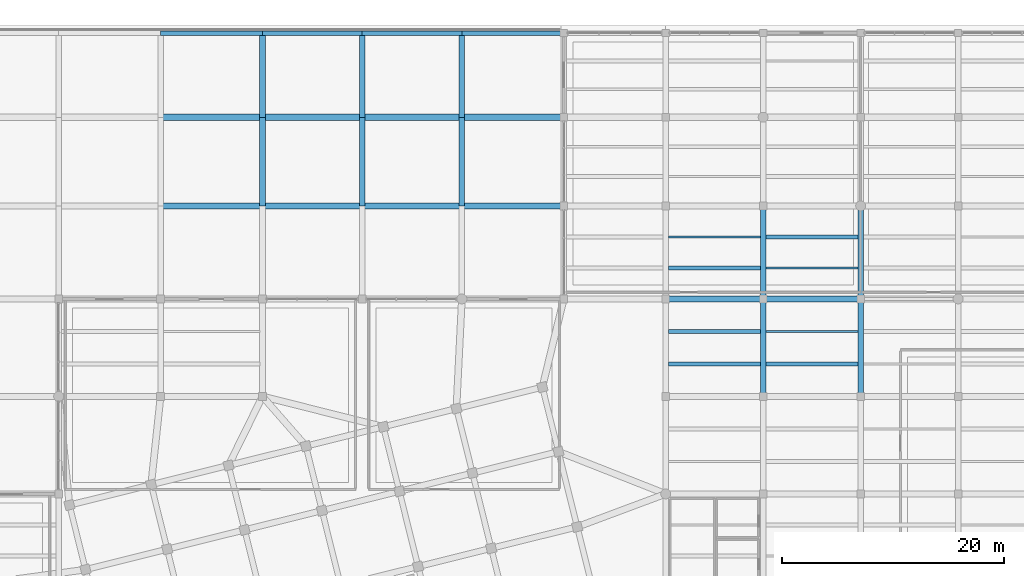
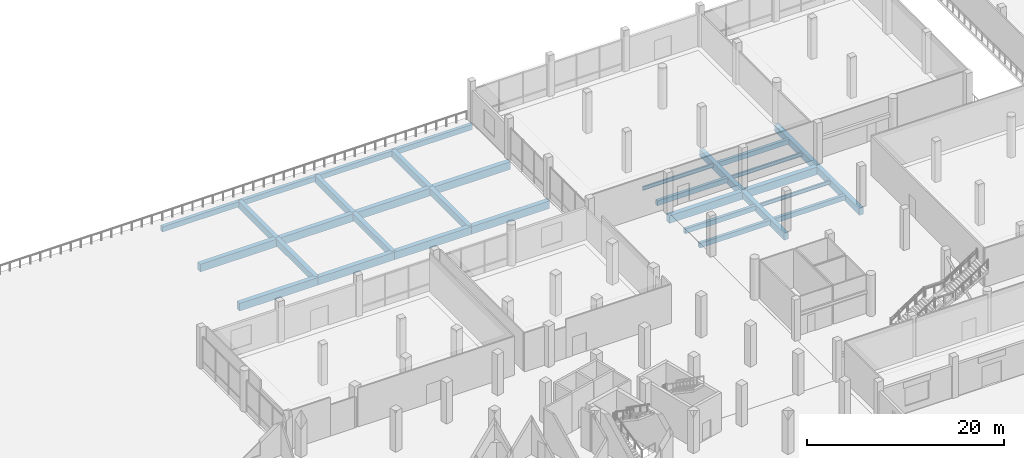
# One storey, part 36 of 73: 32 beams.
"""IFC4 building model written with IfcOpenShell, lengths in metres."""

from ifc_helpers import new_model, si_unit, direction, frame, origin, origin_2d, place, context, subcontext, project, spatial, rectangle, i_section, extrude, material, material_profile, profile_set, type_object, element, save


model = new_model("IFC4")

# Units and contexts
model_context = context("Model", 3, precision=1e-05, world=origin(), true_north=direction((0.0, 1.0)))
body_context = subcontext(model_context, "Body", "Model", "MODEL_VIEW")
ifc_project = project(units=[si_unit("LENGTHUNIT", "METRE"), si_unit("AREAUNIT", "SQUARE_METRE"), si_unit("VOLUMEUNIT", "CUBIC_METRE"), si_unit("PLANEANGLEUNIT", "RADIAN"), si_unit("MASSUNIT", "GRAM", prefix="KILO")], contexts=[model_context])

# Site, building, storey
site_placement = place(None, origin())
site = spatial("IfcSite", under=ifc_project, at=site_placement, CompositionType="ELEMENT")
building_placement = place(site_placement, origin())
building = spatial("IfcBuilding", under=site, at=building_placement, Name="Meriwether Solvik Hall", CompositionType="ELEMENT")
storey_placement = place(building_placement, origin())
storey = spatial("IfcBuildingStorey", under=building, at=storey_placement, Name="L00", CompositionType="ELEMENT", Elevation=0.0)

# Beams
ifc_material_1 = material(Name="Concrete C40/50", Category="concrete")
ifc_material_profile_1 = material_profile(ifc_material_1, rectangle(XDim=0.35009765625, YDim=0.60009765625, at=origin_2d()), Name="RCB-350X600")
ifc_profile_set_1 = profile_set([ifc_material_profile_1], Name="Concrete C40/50")
beam_type_1 = type_object("IfcBeamType", Name="BM-RC-350X600", PredefinedType="JOIST", material=ifc_profile_set_1)
for number, where, z_axis, x_axis, name in (
    (1, (114.445068359375, 86.933349609375, -0.659912109375), (1.0, 0.0, 0.0), (0.0, 1.0, 0.0), "Secondary Floor Joist 13/J_J1 (L00)"),
    (2, (114.445068359375, 89.86669921875, -0.659912109375), (1.0, 0.0, 0.0), (0.0, 1.0, 0.0), "Secondary Floor Joist 13/J_J2 (L00)"),
    (3, (114.445068359375, 95.60009765625, -0.659912109375), (1.0, 0.0, 0.0), (0.0, 1.0, 0.0), "Secondary Floor Joist 13/K_J1 (L00)"),
    (4, (123.2451171875, 86.933349609375, -0.659912109375), (1.0, 0.0, 0.0), (0.0, 1.0, 0.0), "Secondary Floor Joist 14/J_J1 (L00)"),
    (5, (123.2451171875, 98.39990234375, -0.659912109375), (1.0, 0.0, 0.0), (0.0, 1.0, 0.0), "Secondary Floor Joist 14/K_J2 (L00)"),
):
    element("IfcBeam", number, at=place(storey_placement, frame(where, z_axis=z_axis, x_axis=x_axis)), inside=storey, type_object=beam_type_1, Name=name, PredefinedType="JOIST", context=body_context, shape_type="SweptSolid", body=[
        extrude(rectangle(XDim=0.35009765625, YDim=0.60009765625, at=origin_2d()), origin(), (0.0, 0.0, 1.0), 8.309814453125),
    ])
ifc_material_2 = material(Name="Concrete C40/50", Category="concrete")
ifc_material_profile_2 = material_profile(ifc_material_2, rectangle(XDim=0.39990234375, YDim=0.64990234375, at=origin_2d()), Name="RCB-400X650")
ifc_profile_set_2 = profile_set([ifc_material_profile_2], Name="Concrete C40/50")
beam_type_2 = type_object("IfcBeamType", Name="BM-RC-400X650", PredefinedType="SPANDREL", material=ifc_profile_set_2)
beam_1_placement = place(storey_placement, frame((68.60009765625, 116.800048828125, -0.68505859375), z_axis=(1.0, 0.0, 0.0), x_axis=(0.0, 1.0, 0.0)))
element("IfcBeam", 6, at=beam_1_placement, inside=storey, type_object=beam_type_2, Name="Podium Girder N:8-9 (L00)", PredefinedType="SPANDREL", context=body_context, shape_type="SweptSolid", body=[
    extrude(rectangle(XDim=0.39990234375, YDim=0.64990234375, at=origin_2d()), origin(), (0.0, 0.0, 1.0), 9.199951171875),
])
for number, where, z_axis, x_axis, name in (
    (7, (77.800048828125, 116.800048828125, -0.68505859375), (1.0, 0.0, 0.0), (0.0, 1.0, 0.0), "Podium Girder N:9-10 (L00)"),
    (8, (86.800048828125, 116.800048828125, -0.68505859375), (1.0, 0.0, 0.0), (0.0, 1.0, 0.0), "Podium Girder N:10-11 (L00)"),
):
    element("IfcBeam", number, at=place(storey_placement, frame(where, z_axis=z_axis, x_axis=x_axis)), inside=storey, type_object=beam_type_2, Name=name, PredefinedType="SPANDREL", context=body_context, shape_type="SweptSolid", body=[
        extrude(rectangle(XDim=0.39990234375, YDim=0.64990234375, at=origin_2d()), origin(), (0.0, 0.0, 1.0), 9.0),
    ])
beam_2_placement = place(storey_placement, frame((95.800048828125, 116.800048828125, -0.68505859375), z_axis=(1.0, 0.0, 0.0), x_axis=(0.0, 1.0, 0.0)))
element("IfcBeam", 9, at=beam_2_placement, inside=storey, type_object=beam_type_2, Name="Podium Girder N:11-12 (L00)", PredefinedType="SPANDREL", context=body_context, shape_type="SweptSolid", body=[
    extrude(rectangle(XDim=0.39990234375, YDim=0.64990234375, at=origin_2d()), origin(), (0.0, 0.0, 1.0), 9.199951171875),
])
ifc_material_3 = material(Name="Concrete C40/50", Category="concrete")
ifc_material_profile_3 = material_profile(ifc_material_3, rectangle(XDim=0.5, YDim=0.85009765625, at=origin_2d()), Name="RCB-500X850")
ifc_profile_set_3 = profile_set([ifc_material_profile_3], Name="Concrete C40/50")
beam_type_3 = type_object("IfcBeamType", Name="BM-RC-500X850", PredefinedType="BEAM", material=ifc_profile_set_3)
beam_3_placement = place(storey_placement, frame((77.800048828125, 101.199951171875, -0.784912109375), z_axis=(0.0, 1.0, 0.0), x_axis=(-1.0, 0.0, 0.0)))
element("IfcBeam", 10, at=beam_3_placement, inside=storey, type_object=beam_type_3, Name="Podium Girder 9:L-M (L00)", PredefinedType="BEAM", context=body_context, shape_type="SweptSolid", body=[
    extrude(rectangle(XDim=0.5, YDim=0.85009765625, at=origin_2d()), origin(), (0.0, 0.0, 1.0), 8.0),
])
beam_4_placement = place(storey_placement, frame((77.800048828125, 109.199951171875, -0.784912109375), z_axis=(0.0, 1.0, 0.0), x_axis=(-1.0, 0.0, 0.0)))
element("IfcBeam", 11, at=beam_4_placement, inside=storey, type_object=beam_type_3, Name="Podium Girder 9:M-N (L00)", PredefinedType="BEAM", context=body_context, shape_type="SweptSolid", body=[
    extrude(rectangle(XDim=0.5, YDim=0.85009765625, at=origin_2d()), origin(), (0.0, 0.0, 1.0), 7.60009765625),
])
beam_5_placement = place(storey_placement, frame((86.800048828125, 101.199951171875, -0.784912109375), z_axis=(0.0, 1.0, 0.0), x_axis=(-1.0, 0.0, 0.0)))
element("IfcBeam", 12, at=beam_5_placement, inside=storey, type_object=beam_type_3, Name="Podium Girder 10:L-M (L00)", PredefinedType="BEAM", context=body_context, shape_type="SweptSolid", body=[
    extrude(rectangle(XDim=0.5, YDim=0.85009765625, at=origin_2d()), origin(), (0.0, 0.0, 1.0), 8.0),
])
beam_6_placement = place(storey_placement, frame((86.800048828125, 109.199951171875, -0.784912109375), z_axis=(0.0, 1.0, 0.0), x_axis=(-1.0, 0.0, 0.0)))
element("IfcBeam", 13, at=beam_6_placement, inside=storey, type_object=beam_type_3, Name="Podium Girder 10:M-N (L00)", PredefinedType="BEAM", context=body_context, shape_type="SweptSolid", body=[
    extrude(rectangle(XDim=0.5, YDim=0.85009765625, at=origin_2d()), origin(), (0.0, 0.0, 1.0), 7.60009765625),
])
beam_7_placement = place(storey_placement, frame((95.800048828125, 101.199951171875, -0.784912109375), z_axis=(0.0, 1.0, 0.0), x_axis=(-1.0, 0.0, 0.0)))
element("IfcBeam", 14, at=beam_7_placement, inside=storey, type_object=beam_type_3, Name="Podium Girder 11:L-M (L00)", PredefinedType="BEAM", context=body_context, shape_type="SweptSolid", body=[
    extrude(rectangle(XDim=0.5, YDim=0.85009765625, at=origin_2d()), origin(), (0.0, 0.0, 1.0), 8.0),
])
beam_8_placement = place(storey_placement, frame((95.800048828125, 109.199951171875, -0.784912109375), z_axis=(0.0, 1.0, 0.0), x_axis=(-1.0, 0.0, 0.0)))
element("IfcBeam", 15, at=beam_8_placement, inside=storey, type_object=beam_type_3, Name="Podium Girder 11:M-N (L00)", PredefinedType="BEAM", context=body_context, shape_type="SweptSolid", body=[
    extrude(rectangle(XDim=0.5, YDim=0.85009765625, at=origin_2d()), origin(), (0.0, 0.0, 1.0), 7.60009765625),
])
beam_9_placement = place(storey_placement, frame((123.0, 84.0, -0.784912109375), z_axis=(0.0, 1.0, 0.0), x_axis=(-1.0, 0.0, 0.0)))
element("IfcBeam", 16, at=beam_9_placement, inside=storey, type_object=beam_type_3, Name="Podium Girder 14:J-K (L00)", PredefinedType="BEAM", context=body_context, shape_type="SweptSolid", body=[
    extrude(rectangle(XDim=0.5, YDim=0.85009765625, at=origin_2d()), origin(), (0.0, 0.0, 1.0), 8.800048828125),
])
beam_10_placement = place(storey_placement, frame((123.0, 92.800048828125, -0.784912109375), z_axis=(0.0, 1.0, 0.0), x_axis=(-1.0, 0.0, 0.0)))
element("IfcBeam", 17, at=beam_10_placement, inside=storey, type_object=beam_type_3, Name="Podium Girder 14:K-L (L00)", PredefinedType="BEAM", context=body_context, shape_type="SweptSolid", body=[
    extrude(rectangle(XDim=0.5, YDim=0.85009765625, at=origin_2d()), origin(), (0.0, 0.0, 1.0), 8.39990234375),
])
beam_11_placement = place(storey_placement, frame((131.800048828125, 84.0, -0.784912109375), z_axis=(0.0, 1.0, 0.0), x_axis=(-1.0, 0.0, 0.0)))
element("IfcBeam", 18, at=beam_11_placement, inside=storey, type_object=beam_type_3, Name="Podium Girder 15:J-K (L00)", PredefinedType="BEAM", context=body_context, shape_type="SweptSolid", body=[
    extrude(rectangle(XDim=0.5, YDim=0.85009765625, at=origin_2d()), origin(), (0.0, 0.0, 1.0), 8.800048828125),
])
beam_12_placement = place(storey_placement, frame((131.800048828125, 92.800048828125, -0.784912109375), z_axis=(0.0, 1.0, 0.0), x_axis=(-1.0, 0.0, 0.0)))
element("IfcBeam", 19, at=beam_12_placement, inside=storey, type_object=beam_type_3, Name="Podium Girder 15:K-L (L00)", PredefinedType="BEAM", context=body_context, shape_type="SweptSolid", body=[
    extrude(rectangle(XDim=0.5, YDim=0.85009765625, at=origin_2d()), origin(), (0.0, 0.0, 1.0), 8.39990234375),
])
ifc_material_4 = material(Name="Concrete C40/50", Category="concrete")
ifc_material_profile_4 = material_profile(ifc_material_4, rectangle(XDim=0.550048828125, YDim=0.949951171875, at=origin_2d()), Name="RCB-550X950")
ifc_profile_set_4 = profile_set([ifc_material_profile_4], Name="Concrete C40/50")
beam_type_4 = type_object("IfcBeamType", Name="BM-RC-550X950", PredefinedType="BEAM", material=ifc_profile_set_4)
for number, where, z_axis, x_axis, name in (
    (20, (114.199951171875, 92.800048828125, -0.8349609375), (1.0, 0.0, 0.0), (0.0, 1.0, 0.0), "Podium Girder K:13-14 (L00)"),
    (21, (123.0, 92.800048828125, -0.8349609375), (1.0, 0.0, 0.0), (0.0, 1.0, 0.0), "Podium Girder K:14-15 (L00)"),
):
    element("IfcBeam", number, at=place(storey_placement, frame(where, z_axis=z_axis, x_axis=x_axis)), inside=storey, type_object=beam_type_4, Name=name, PredefinedType="BEAM", context=body_context, shape_type="SweptSolid", body=[
        extrude(rectangle(XDim=0.550048828125, YDim=0.949951171875, at=origin_2d()), origin(), (0.0, 0.0, 1.0), 8.800048828125),
    ])
beam_13_placement = place(storey_placement, frame((68.60009765625, 101.199951171875, -0.8349609375), z_axis=(1.0, 0.0, 0.0), x_axis=(0.0, 1.0, 0.0)))
element("IfcBeam", 22, at=beam_13_placement, inside=storey, type_object=beam_type_4, Name="Podium Girder L:8-9 (L00)", PredefinedType="BEAM", context=body_context, shape_type="SweptSolid", body=[
    extrude(rectangle(XDim=0.550048828125, YDim=0.949951171875, at=origin_2d()), origin(), (0.0, 0.0, 1.0), 9.199951171875),
])
for number, where, z_axis, x_axis, name in (
    (23, (77.800048828125, 101.199951171875, -0.8349609375), (1.0, 0.0, 0.0), (0.0, 1.0, 0.0), "Podium Girder L:9-10 (L00)"),
    (24, (86.800048828125, 101.199951171875, -0.8349609375), (1.0, 0.0, 0.0), (0.0, 1.0, 0.0), "Podium Girder L:10-11 (L00)"),
):
    element("IfcBeam", number, at=place(storey_placement, frame(where, z_axis=z_axis, x_axis=x_axis)), inside=storey, type_object=beam_type_4, Name=name, PredefinedType="BEAM", context=body_context, shape_type="SweptSolid", body=[
        extrude(rectangle(XDim=0.550048828125, YDim=0.949951171875, at=origin_2d()), origin(), (0.0, 0.0, 1.0), 9.0),
    ])
for number, where, z_axis, x_axis, name in (
    (25, (95.800048828125, 101.199951171875, -0.8349609375), (1.0, 0.0, 0.0), (0.0, 1.0, 0.0), "Podium Girder L:11-12 (L00)"),
    (26, (68.60009765625, 109.199951171875, -0.8349609375), (1.0, 0.0, 0.0), (0.0, 1.0, 0.0), "Podium Girder M:8-9 (L00)"),
):
    element("IfcBeam", number, at=place(storey_placement, frame(where, z_axis=z_axis, x_axis=x_axis)), inside=storey, type_object=beam_type_4, Name=name, PredefinedType="BEAM", context=body_context, shape_type="SweptSolid", body=[
        extrude(rectangle(XDim=0.550048828125, YDim=0.949951171875, at=origin_2d()), origin(), (0.0, 0.0, 1.0), 9.199951171875),
    ])
for number, where, z_axis, x_axis, name in (
    (27, (77.800048828125, 109.199951171875, -0.8349609375), (1.0, 0.0, 0.0), (0.0, 1.0, 0.0), "Podium Girder M:9-10 (L00)"),
    (28, (86.800048828125, 109.199951171875, -0.8349609375), (1.0, 0.0, 0.0), (0.0, 1.0, 0.0), "Podium Girder M:10-11 (L00)"),
):
    element("IfcBeam", number, at=place(storey_placement, frame(where, z_axis=z_axis, x_axis=x_axis)), inside=storey, type_object=beam_type_4, Name=name, PredefinedType="BEAM", context=body_context, shape_type="SweptSolid", body=[
        extrude(rectangle(XDim=0.550048828125, YDim=0.949951171875, at=origin_2d()), origin(), (0.0, 0.0, 1.0), 9.0),
    ])
beam_14_placement = place(storey_placement, frame((95.800048828125, 109.199951171875, -0.8349609375), z_axis=(1.0, 0.0, 0.0), x_axis=(0.0, 1.0, 0.0)))
element("IfcBeam", 29, at=beam_14_placement, inside=storey, type_object=beam_type_4, Name="Podium Girder M:11-12 (L00)", PredefinedType="BEAM", context=body_context, shape_type="SweptSolid", body=[
    extrude(rectangle(XDim=0.550048828125, YDim=0.949951171875, at=origin_2d()), origin(), (0.0, 0.0, 1.0), 9.199951171875),
])
ifc_material_5 = material(Name="Steel A992 Grade 50", Category="steel")
ifc_material_profile_5 = material_profile(ifc_material_5, i_section(OverallWidth=0.19091796875, OverallDepth=0.45703125, WebThickness=0.009033203125, FlangeThickness=0.014404296875, at=origin_2d()), Name="W18X50")
ifc_profile_set_5 = profile_set([ifc_material_profile_5], Name="Steel A992 Grade 50")
beam_type_5 = type_object("IfcBeamType", Name="BM-STL-W18X50", PredefinedType="JOIST", material=ifc_profile_set_5)
for number, where, z_axis, x_axis, name in (
    (30, (114.445068359375, 98.39990234375, -0.58837890625), (1.0, 0.0, 0.0), (0.0, 1.0, 0.0), "Secondary Floor Joist 13/K_J2 (L00)"),
    (31, (123.2451171875, 89.86669921875, -0.58837890625), (1.0, 0.0, 0.0), (0.0, 1.0, 0.0), "Secondary Floor Joist 14/J_J2 (L00)"),
    (32, (123.2451171875, 95.60009765625, -0.58837890625), (1.0, 0.0, 0.0), (0.0, 1.0, 0.0), "Secondary Floor Joist 14/K_J1 (L00)"),
):
    element("IfcBeam", number, at=place(storey_placement, frame(where, z_axis=z_axis, x_axis=x_axis)), inside=storey, type_object=beam_type_5, Name=name, PredefinedType="JOIST", context=body_context, shape_type="SweptSolid", body=[
        extrude(i_section(OverallWidth=0.19091796875, OverallDepth=0.45703125, WebThickness=0.009033203125, FlangeThickness=0.014404296875, at=origin_2d()), origin(), (0.0, 0.0, 1.0), 8.309814453125),
    ])

save(model, "model.ifc")
